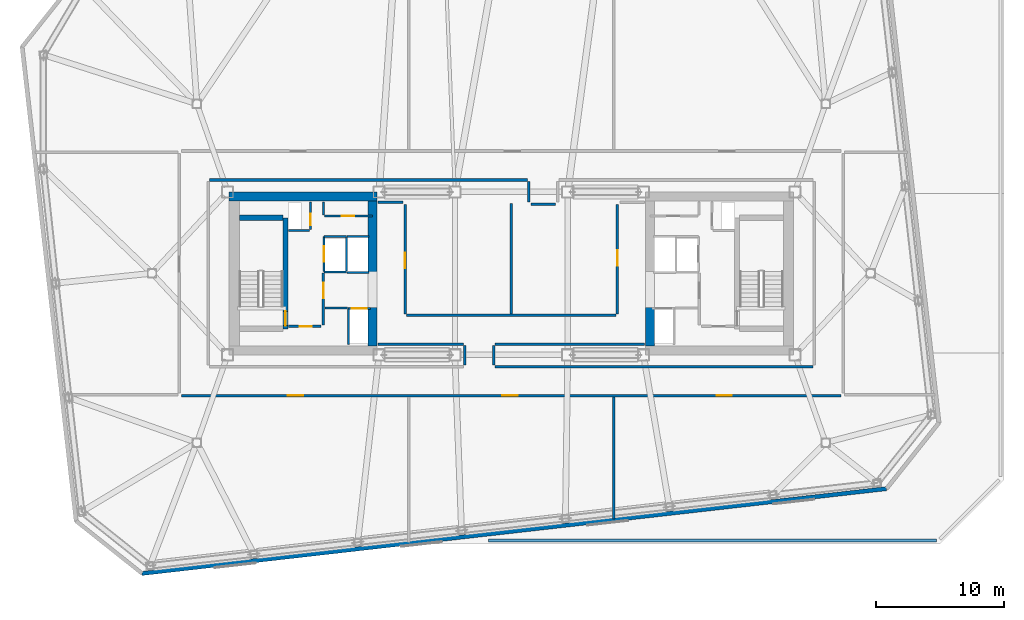
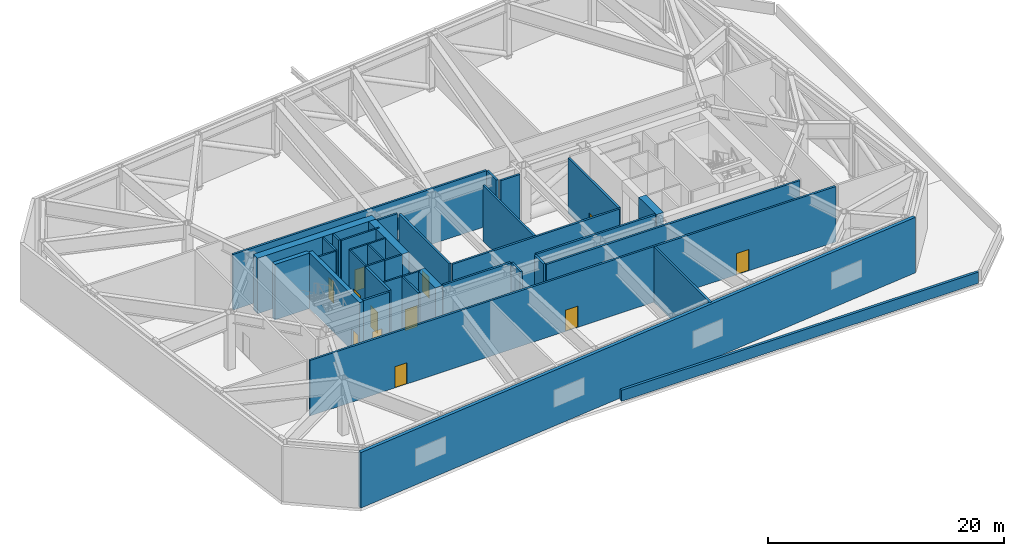
# One storey, part 6 of 13: 38 walls, 12 doors, 12 openings.
"""IFC4 building model written with IfcOpenShell, lengths in metres."""

from ifc_helpers import new_model, si_unit, direction, frame, frame_2d, origin, place, context, subcontext, project, spatial, rectangle, extrude, material, layer, layer_set, type_object, element, fill, save


model = new_model("IFC4")

# Units and contexts
model_context = context("Model", 3, precision=1e-05, world=origin(), true_north=direction((0.0, 1.0)))
body_context = subcontext(model_context, "Body", "Model", "MODEL_VIEW")
ifc_project = project(units=[si_unit("LENGTHUNIT", "METRE"), si_unit("AREAUNIT", "SQUARE_METRE"), si_unit("VOLUMEUNIT", "CUBIC_METRE"), si_unit("PLANEANGLEUNIT", "RADIAN"), si_unit("MASSUNIT", "GRAM", prefix="KILO")], contexts=[model_context])

# Site, building, storey
site_placement = place(None, origin())
site = spatial("IfcSite", under=ifc_project, at=site_placement, CompositionType="ELEMENT")
building_placement = place(site_placement, origin())
building = spatial("IfcBuilding", under=site, at=building_placement, Name="Tavrogorsk Clinical Tower", CompositionType="ELEMENT")
storey_placement = place(building_placement, frame((0.0, 0.0, 208.199951171875)))
storey = spatial("IfcBuildingStorey", under=building, at=storey_placement, Name="L48", CompositionType="ELEMENT", Elevation=208.199951171875)

# Wall, opening, door
ifc_material_1 = material(Name="Concrete B60", Category="concrete")
ifc_layer_1 = layer(ifc_material_1, 0.199951171875)
ifc_layer_set_1 = layer_set([ifc_layer_1], Name="Concrete B60")
wall_type_1 = type_object("IfcWallType", Name="CoreFireWall_200", PredefinedType="SOLIDWALL", material=ifc_layer_set_1)
wall_1_placement = place(storey_placement, frame((-17.3798828125, -4.139892578125, 0.0), z_axis=(0.0, 0.0, 1.0), x_axis=(1.0, 0.0, 0.0)))
wall_1 = element("IfcWall", 1, at=wall_1_placement, inside=storey, type_object=wall_type_1, Name="L48 Core West South Core Room Fire Wall", PredefinedType="SOLIDWALL", context=body_context, shape_type="SweptSolid", body=[
    extrude(rectangle(XDim=2.554931640625, YDim=0.199951171875, at=frame_2d((1.27734375, 0.0))), origin(), (0.0, 0.0, 1.0), 5.739990234375),
])
opening_1_placement = place(wall_1_placement, frame((0.8798828125, 0.0, 0.0)))
opening_1 = element("IfcOpeningElement", 2, at=opening_1_placement, cuts=wall_1, Name="Opening ID-02", PredefinedType="OPENING", context=body_context, shape_type="SweptSolid", body=[
    extrude(rectangle(XDim=0.949951171875, YDim=2.199951171875, at=frame_2d((0.47509765625, 1.10009765625))), frame((0.0, 0.10986328125, 0.0), z_axis=(0.0, -1.0, 0.0), x_axis=(1.0, 0.0, 0.0)), (0.0, 0.0, 1.0), 0.219970703125),
])
ifc_material_2 = material(Name="Laminated timber leaf on aluminium frame", Category="wood")
door_type_1 = type_object("IfcDoorType", Name="InteriorDoor_ID02_950", OperationType="NOTDEFINED", PredefinedType="DOOR", material=ifc_material_2)
door_1_placement = place(opening_1_placement, origin())
door_1 = element("IfcDoor", 3, at=door_1_placement, inside=storey, type_object=door_type_1, Name="L48 Core West South Core Room Door", OperationType="SINGLE_SWING_RIGHT", OverallHeight=2.199951171875, OverallWidth=0.949951171875, PredefinedType="DOOR", context=body_context, shape_type="SweptSolid", body=[
    extrude(rectangle(XDim=0.949951171875, YDim=2.199951171875, at=frame_2d((0.47509765625, 1.10009765625))), frame((0.0, 0.02490234375, 0.0), z_axis=(0.0, -1.0, 0.0), x_axis=(1.0, 0.0, 0.0)), (0.0, 0.0, 1.0), 0.050048828125),
])
fill(opening_1, door_1)

wall_2_placement = place(storey_placement, frame((-14.639892578125, -4.034912109375, 0.0), z_axis=(0.0, 0.0, 1.0), x_axis=(0.0, 1.0, 0.0)))
wall_2 = element("IfcWall", 4, at=wall_2_placement, inside=storey, type_object=wall_type_1, Name="L48 Core West Firefighting Lobby Fire Wall", PredefinedType="SOLIDWALL", context=body_context, shape_type="SweptSolid", body=[
    extrude(rectangle(XDim=4.074951171875, YDim=0.199951171875, at=frame_2d((2.03759765625, 0.0))), origin(), (0.0, 0.0, 1.0), 5.739990234375),
])
opening_2_placement = place(wall_2_placement, frame((2.090087890625, 0.0, 0.0)))
opening_2 = element("IfcOpeningElement", 5, at=opening_2_placement, cuts=wall_2, Name="Opening FD-01", PredefinedType="OPENING", context=body_context, shape_type="SweptSolid", body=[
    extrude(rectangle(XDim=1.199951171875, YDim=2.199951171875, at=frame_2d((0.60009765625, 1.10009765625))), frame((0.0, 0.10986328125, 0.0), z_axis=(0.0, -1.0, 0.0), x_axis=(1.0, 0.0, 0.0)), (0.0, 0.0, 1.0), 0.219970703125),
])
ifc_material_3 = material(Name="Galvanised steel fire-rated door assembly", Category="steel")
door_type_2 = type_object("IfcDoorType", Name="FireDoor_FD01_1200", OperationType="NOTDEFINED", PredefinedType="DOOR", material=ifc_material_3)
door_2_placement = place(opening_2_placement, origin())
door_2 = element("IfcDoor", 6, at=door_2_placement, inside=storey, type_object=door_type_2, Name="L48 Core West Firefighting Lobby Entry Door", OperationType="SINGLE_SWING_RIGHT", OverallHeight=2.199951171875, OverallWidth=1.199951171875, PredefinedType="DOOR", context=body_context, shape_type="SweptSolid", body=[
    extrude(rectangle(XDim=1.199951171875, YDim=2.199951171875, at=frame_2d((0.60009765625, 1.10009765625))), frame((0.0, 0.02490234375, 0.0), z_axis=(0.0, -1.0, 0.0), x_axis=(1.0, 0.0, 0.0)), (0.0, 0.0, 1.0), 0.050048828125),
])
fill(opening_2, door_2)

# Wall, openings, doors
wall_3_placement = place(storey_placement, frame((25.695068359375, -9.530029296875, 0.0), z_axis=(0.0, 0.0, 1.0), x_axis=(-1.0, 0.0, 0.0)))
wall_3 = element("IfcWall", 7, at=wall_3_placement, inside=storey, type_object=wall_type_1, Name="L48 Refuge Corridor Fire Wall 04", PredefinedType="SOLIDWALL", context=body_context, shape_type="SweptSolid", body=[
    extrude(rectangle(XDim=51.39013671875, YDim=0.199951171875, at=frame_2d((25.695068359375, 0.0))), origin(), (0.0, 0.0, 1.0), 5.739990234375),
])
opening_3_placement = place(wall_3_placement, frame((41.906005859375, 0.0, 0.0)))
opening_3 = element("IfcOpeningElement", 8, at=opening_3_placement, cuts=wall_3, Name="Opening FD-01", PredefinedType="OPENING", context=body_context, shape_type="SweptSolid", body=[
    extrude(rectangle(XDim=1.199951171875, YDim=2.199951171875, at=frame_2d((0.60009765625, 1.10009765625))), frame((0.0, 0.10986328125, 0.0), z_axis=(0.0, -1.0, 0.0), x_axis=(1.0, 0.0, 0.0)), (0.0, 0.0, 1.0), 0.219970703125),
])
opening_4_placement = place(wall_3_placement, frame((8.494140625, 0.0, 0.0)))
opening_4 = element("IfcOpeningElement", 9, at=opening_4_placement, cuts=wall_3, Name="Opening FD-01", PredefinedType="OPENING", context=body_context, shape_type="SweptSolid", body=[
    extrude(rectangle(XDim=1.199951171875, YDim=2.199951171875, at=frame_2d((0.60009765625, 1.10009765625))), frame((0.0, 0.10986328125, 0.0), z_axis=(0.0, -1.0, 0.0), x_axis=(1.0, 0.0, 0.0)), (0.0, 0.0, 1.0), 0.219970703125),
])
opening_5_placement = place(wall_3_placement, frame((25.199951171875, 0.0, 0.0)))
opening_5 = element("IfcOpeningElement", 10, at=opening_5_placement, cuts=wall_3, Name="Opening FD-01", PredefinedType="OPENING", context=body_context, shape_type="SweptSolid", body=[
    extrude(rectangle(XDim=1.199951171875, YDim=2.199951171875, at=frame_2d((0.60009765625, 1.10009765625))), frame((0.0, 0.10986328125, 0.0), z_axis=(0.0, -1.0, 0.0), x_axis=(1.0, 0.0, 0.0)), (0.0, 0.0, 1.0), 0.219970703125),
])
door_3_placement = place(opening_3_placement, origin())
door_3 = element("IfcDoor", 11, at=door_3_placement, inside=storey, type_object=door_type_2, Name="L48 Pressurised Patient Refuge Area West Fire Door", OperationType="SINGLE_SWING_LEFT", OverallHeight=2.199951171875, OverallWidth=1.199951171875, PredefinedType="DOOR", context=body_context, shape_type="SweptSolid", body=[
    extrude(rectangle(XDim=1.199951171875, YDim=2.199951171875, at=frame_2d((0.60009765625, 1.10009765625))), frame((0.0, 0.02490234375, 0.0), z_axis=(0.0, -1.0, 0.0), x_axis=(1.0, 0.0, 0.0)), (0.0, 0.0, 1.0), 0.050048828125),
])
fill(opening_3, door_3)
door_4_placement = place(opening_4_placement, origin())
door_4 = element("IfcDoor", 12, at=door_4_placement, inside=storey, type_object=door_type_2, Name="L48 Pressurised Patient Refuge Area East Fire Door", OperationType="SINGLE_SWING_RIGHT", OverallHeight=2.199951171875, OverallWidth=1.199951171875, PredefinedType="DOOR", context=body_context, shape_type="SweptSolid", body=[
    extrude(rectangle(XDim=1.199951171875, YDim=2.199951171875, at=frame_2d((0.60009765625, 1.10009765625))), frame((0.0, 0.02490234375, 0.0), z_axis=(0.0, -1.0, 0.0), x_axis=(1.0, 0.0, 0.0)), (0.0, 0.0, 1.0), 0.050048828125),
])
fill(opening_4, door_4)
door_5_placement = place(opening_5_placement, origin())
door_5 = element("IfcDoor", 13, at=door_5_placement, inside=storey, type_object=door_type_2, Name="L48 Bariatric & Stretcher Holding Refuge Fire Door", OperationType="SINGLE_SWING_LEFT", OverallHeight=2.199951171875, OverallWidth=1.199951171875, PredefinedType="DOOR", context=body_context, shape_type="SweptSolid", body=[
    extrude(rectangle(XDim=1.199951171875, YDim=2.199951171875, at=frame_2d((0.60009765625, 1.10009765625))), frame((0.0, 0.02490234375, 0.0), z_axis=(0.0, -1.0, 0.0), x_axis=(1.0, 0.0, 0.0)), (0.0, 0.0, 1.0), 0.050048828125),
])
fill(opening_5, door_5)

# Walls
wall_4_placement = place(storey_placement, frame((-3.6298828125, -7.1650390625, 0.0), z_axis=(0.0, 0.0, 1.0), x_axis=(0.0, 1.0, 0.0)))
element("IfcWall", 14, at=wall_4_placement, inside=storey, type_object=wall_type_1, Name="L48 Refuge Corridor Fire Wall 05", PredefinedType="SOLIDWALL", context=body_context, shape_type="SweptSolid", body=[
    extrude(rectangle(XDim=1.530029296875, YDim=0.199951171875, at=frame_2d((0.76513671875, 0.0))), origin(), (0.0, 0.0, 1.0), 5.739990234375),
])
wall_5_placement = place(storey_placement, frame((-3.735107421875, -5.530029296875, 0.0), z_axis=(0.0, 0.0, 1.0), x_axis=(-1.0, 0.0, 0.0)))
element("IfcWall", 15, at=wall_5_placement, inside=storey, type_object=wall_type_1, Name="L48 Refuge Corridor Fire Wall 06", PredefinedType="SOLIDWALL", context=body_context, shape_type="SweptSolid", body=[
    extrude(rectangle(XDim=6.644775390625, YDim=0.199951171875, at=frame_2d((3.322265625, 0.0))), origin(), (0.0, 0.0, 1.0), 5.739990234375),
])
wall_6_placement = place(storey_placement, frame((-10.3798828125, 5.530029296875, 0.0), z_axis=(0.0, 0.0, 1.0), x_axis=(1.0, 0.0, 0.0)))
element("IfcWall", 16, at=wall_6_placement, inside=storey, type_object=wall_type_1, Name="L48 Refuge Corridor Fire Wall 07", PredefinedType="SOLIDWALL", context=body_context, shape_type="SweptSolid", body=[
    extrude(rectangle(XDim=1.9248046875, YDim=0.199951171875, at=frame_2d((0.96240234375, 0.0))), origin(), (0.0, 0.0, 1.0), 5.739990234375),
])

# Wall, opening, door
wall_7_placement = place(storey_placement, frame((-8.27001953125, 5.344970703125, 0.0), z_axis=(0.0, 0.0, 1.0), x_axis=(0.0, -1.0, 0.0)))
wall_7 = element("IfcWall", 17, at=wall_7_placement, inside=storey, type_object=wall_type_1, Name="L48 Refuge Corridor Fire Wall 08", PredefinedType="SOLIDWALL", context=body_context, shape_type="SweptSolid", body=[
    extrude(rectangle(XDim=8.510009765625, YDim=0.199951171875, at=frame_2d((4.2548828125, 0.0))), origin(), (0.0, 0.0, 1.0), 5.739990234375),
])
opening_6_placement = place(wall_7_placement, frame((3.760009765625, 0.0, 0.0)))
opening_6 = element("IfcOpeningElement", 18, at=opening_6_placement, cuts=wall_7, Name="Opening FD-01", PredefinedType="OPENING", context=body_context, shape_type="SweptSolid", body=[
    extrude(rectangle(XDim=1.199951171875, YDim=2.199951171875, at=frame_2d((0.60009765625, 1.10009765625))), frame((0.0, 0.10986328125, 0.0), z_axis=(0.0, -1.0, 0.0), x_axis=(1.0, 0.0, 0.0)), (0.0, 0.0, 1.0), 0.219970703125),
])
door_6_placement = place(opening_6_placement, origin())
door_6 = element("IfcDoor", 19, at=door_6_placement, inside=storey, type_object=door_type_2, Name="L48 Zone Substation & Medical IT UPS Fire Door", OperationType="SINGLE_SWING_LEFT", OverallHeight=2.199951171875, OverallWidth=1.199951171875, PredefinedType="DOOR", context=body_context, shape_type="SweptSolid", body=[
    extrude(rectangle(XDim=1.199951171875, YDim=2.199951171875, at=frame_2d((0.60009765625, 1.10009765625))), frame((0.0, 0.02490234375, 0.0), z_axis=(0.0, -1.0, 0.0), x_axis=(1.0, 0.0, 0.0)), (0.0, 0.0, 1.0), 0.050048828125),
])
fill(opening_6, door_6)

# Wall
wall_8_placement = place(storey_placement, frame((-8.1650390625, -3.27001953125, 0.0), z_axis=(0.0, 0.0, 1.0), x_axis=(1.0, 0.0, 0.0)))
element("IfcWall", 20, at=wall_8_placement, inside=storey, type_object=wall_type_1, Name="L48 Refuge Corridor Fire Wall 09", PredefinedType="SOLIDWALL", context=body_context, shape_type="SweptSolid", body=[
    extrude(rectangle(XDim=16.330078125, YDim=0.199951171875, at=frame_2d((8.1650390625, 0.0))), origin(), (0.0, 0.0, 1.0), 5.739990234375),
])

# Wall, opening, door
wall_9_placement = place(storey_placement, frame((8.27001953125, -3.1650390625, 0.0), z_axis=(0.0, 0.0, 1.0), x_axis=(0.0, 1.0, 0.0)))
wall_9 = element("IfcWall", 21, at=wall_9_placement, inside=storey, type_object=wall_type_1, Name="L48 Refuge Corridor Fire Wall 10", PredefinedType="SOLIDWALL", context=body_context, shape_type="SweptSolid", body=[
    extrude(rectangle(XDim=8.510009765625, YDim=0.199951171875, at=frame_2d((4.2548828125, 0.0))), origin(), (0.0, 0.0, 1.0), 5.739990234375),
])
opening_7_placement = place(wall_9_placement, frame((3.760009765625, 0.0, 0.0)))
opening_7 = element("IfcOpeningElement", 22, at=opening_7_placement, cuts=wall_9, Name="Opening FD-01", PredefinedType="OPENING", context=body_context, shape_type="SweptSolid", body=[
    extrude(rectangle(XDim=1.199951171875, YDim=2.199951171875, at=frame_2d((0.60009765625, 1.10009765625))), frame((0.0, 0.10986328125, 0.0), z_axis=(0.0, -1.0, 0.0), x_axis=(1.0, 0.0, 0.0)), (0.0, 0.0, 1.0), 0.219970703125),
])
door_7_placement = place(opening_7_placement, origin())
door_7 = element("IfcDoor", 23, at=door_7_placement, inside=storey, type_object=door_type_2, Name="L48 Zone Domestic Water & Vacuum Booster Fire Door", OperationType="SINGLE_SWING_RIGHT", OverallHeight=2.199951171875, OverallWidth=1.199951171875, PredefinedType="DOOR", context=body_context, shape_type="SweptSolid", body=[
    extrude(rectangle(XDim=1.199951171875, YDim=2.199951171875, at=frame_2d((0.60009765625, 1.10009765625))), frame((0.0, 0.02490234375, 0.0), z_axis=(0.0, -1.0, 0.0), x_axis=(1.0, 0.0, 0.0)), (0.0, 0.0, 1.0), 0.050048828125),
])
fill(opening_7, door_7)

# Walls
wall_10_placement = place(storey_placement, frame((10.3798828125, -5.530029296875, 0.0), z_axis=(0.0, 0.0, 1.0), x_axis=(-1.0, 0.0, 0.0)))
element("IfcWall", 24, at=wall_10_placement, inside=storey, type_object=wall_type_1, Name="L48 Refuge Corridor Fire Wall 12", PredefinedType="SOLIDWALL", context=body_context, shape_type="SweptSolid", body=[
    extrude(rectangle(XDim=11.644775390625, YDim=0.199951171875, at=frame_2d((5.822265625, 0.0))), origin(), (0.0, 0.0, 1.0), 5.739990234375),
])
wall_11_placement = place(storey_placement, frame((-1.3701171875, -5.635009765625, 0.0), z_axis=(0.0, 0.0, 1.0), x_axis=(0.0, -1.0, 0.0)))
element("IfcWall", 25, at=wall_11_placement, inside=storey, type_object=wall_type_1, Name="L48 Refuge Corridor Fire Wall 13", PredefinedType="SOLIDWALL", context=body_context, shape_type="SweptSolid", body=[
    extrude(rectangle(XDim=1.530029296875, YDim=0.199951171875, at=frame_2d((0.76513671875, 0.0))), origin(), (0.0, 0.0, 1.0), 5.739990234375),
])
wall_12_placement = place(storey_placement, frame((-1.264892578125, -7.27001953125, 0.0), z_axis=(0.0, 0.0, 1.0), x_axis=(1.0, 0.0, 0.0)))
element("IfcWall", 26, at=wall_12_placement, inside=storey, type_object=wall_type_1, Name="L48 Refuge Corridor Fire Wall 14", PredefinedType="SOLIDWALL", context=body_context, shape_type="SweptSolid", body=[
    extrude(rectangle(XDim=24.77978515625, YDim=0.199951171875, at=frame_2d((12.389892578125, 0.0))), origin(), (0.0, 0.0, 1.0), 5.739990234375),
])
wall_13_placement = place(storey_placement, frame((3.445068359375, 5.3701171875, 0.0), z_axis=(0.0, 0.0, 1.0), x_axis=(-1.0, 0.0, 0.0)))
element("IfcWall", 27, at=wall_13_placement, inside=storey, type_object=wall_type_1, Name="L48 Refuge Corridor Fire Wall 18", PredefinedType="SOLIDWALL", context=body_context, shape_type="SweptSolid", body=[
    extrude(rectangle(XDim=1.89013671875, YDim=0.199951171875, at=frame_2d((0.945068359375, 0.0))), origin(), (0.0, 0.0, 1.0), 5.739990234375),
])
wall_14_placement = place(storey_placement, frame((1.3701171875, 5.554931640625, 0.0), z_axis=(0.0, 0.0, 1.0), x_axis=(0.0, 1.0, 0.0)))
element("IfcWall", 28, at=wall_14_placement, inside=storey, type_object=wall_type_1, Name="L48 Refuge Corridor Fire Wall 19", PredefinedType="SOLIDWALL", context=body_context, shape_type="SweptSolid", body=[
    extrude(rectangle(XDim=1.610107421875, YDim=0.199951171875, at=frame_2d((0.80517578125, 0.0))), origin(), (0.0, 0.0, 1.0), 5.739990234375),
])
wall_15_placement = place(storey_placement, frame((1.264892578125, 7.27001953125, 0.0), z_axis=(0.0, 0.0, 1.0), x_axis=(-1.0, 0.0, 0.0)))
element("IfcWall", 29, at=wall_15_placement, inside=storey, type_object=wall_type_1, Name="L48 Refuge Corridor Fire Wall 20", PredefinedType="SOLIDWALL", context=body_context, shape_type="SweptSolid", body=[
    extrude(rectangle(XDim=24.77978515625, YDim=0.199951171875, at=frame_2d((12.389892578125, 0.0))), origin(), (0.0, 0.0, 1.0), 5.739990234375),
])
wall_16_placement = place(storey_placement, frame((8.0, -19.14501953125, 0.0), z_axis=(0.0, 0.0, 1.0), x_axis=(0.0, 1.0, 0.0)))
element("IfcWall", 30, at=wall_16_placement, inside=storey, type_object=wall_type_1, Name="L48 Refuge & Plant Fire Wall 6", PredefinedType="SOLIDWALL", context=body_context, shape_type="SweptSolid", body=[
    extrude(rectangle(XDim=9.510009765625, YDim=0.199951171875, at=frame_2d((4.7548828125, 0.0))), origin(), (0.0, 0.0, 1.0), 5.739990234375),
])
wall_17_placement = place(storey_placement, frame((0.0, -3.1650390625, 0.0), z_axis=(0.0, 0.0, 1.0), x_axis=(0.0, 1.0, 0.0)))
element("IfcWall", 31, at=wall_17_placement, inside=storey, type_object=wall_type_1, Name="L48 Refuge & Plant Fire Wall 9", PredefinedType="SOLIDWALL", context=body_context, shape_type="SweptSolid", body=[
    extrude(rectangle(XDim=8.614990234375, YDim=0.199951171875, at=frame_2d((4.3076171875, 0.0))), origin(), (0.0, 0.0, 1.0), 5.739990234375),
])
ifc_material_4 = material(Name="Lightweight concrete blockwork B15", Category="masonry")
ifc_layer_2 = layer(ifc_material_4, 0.159912109375)
ifc_layer_set_2 = layer_set([ifc_layer_2], Name="Lightweight concrete blockwork B15")
wall_type_2 = type_object("IfcWallType", Name="PartitionWall_160", PredefinedType="PARTITIONING", material=ifc_layer_set_2)
wall_18_placement = place(storey_placement, frame((-14.534912109375, -2.699951171875, 0.0), z_axis=(0.0, 0.0, 1.0), x_axis=(1.0, 0.0, 0.0)))
element("IfcWall", 32, at=wall_18_placement, inside=storey, type_object=wall_type_2, Name="L48 Core West Freed Low-Bank North Partition", PredefinedType="PARTITIONING", context=body_context, shape_type="SweptSolid", body=[
    extrude(rectangle(XDim=1.760009765625, YDim=0.159912109375, at=frame_2d((0.8798828125, 0.0))), origin(), (0.0, 0.0, 1.0), 5.739990234375),
])

# Wall, opening, door
wall_19_placement = place(storey_placement, frame((-14.554931640625, 4.4599609375, 0.0), z_axis=(0.0, 0.0, 1.0), x_axis=(1.0, 0.0, 0.0)))
wall_19 = element("IfcWall", 33, at=wall_19_placement, inside=storey, type_object=wall_type_2, Name="L48 Core West Pneumatic Dispatch South Wall", PredefinedType="PARTITIONING", context=body_context, shape_type="SweptSolid", body=[
    extrude(rectangle(XDim=3.7548828125, YDim=0.159912109375, at=frame_2d((1.87744140625, 0.0))), origin(), (0.0, 0.0, 1.0), 5.739990234375),
])
opening_8_placement = place(wall_19_placement, frame((1.35009765625, 0.0, 0.0)))
opening_8 = element("IfcOpeningElement", 34, at=opening_8_placement, cuts=wall_19, Name="Opening ID-02", PredefinedType="OPENING", context=body_context, shape_type="SweptSolid", body=[
    extrude(rectangle(XDim=0.949951171875, YDim=2.199951171875, at=frame_2d((0.47509765625, 1.10009765625))), frame((0.0, 0.08984375, 0.0), z_axis=(0.0, -1.0, 0.0), x_axis=(1.0, 0.0, 0.0)), (0.0, 0.0, 1.0), 0.179931640625),
])
door_8_placement = place(opening_8_placement, origin())
door_8 = element("IfcDoor", 35, at=door_8_placement, inside=storey, type_object=door_type_1, Name="L48 Core West Pneumatic Dispatch Door", OperationType="SINGLE_SWING_LEFT", OverallHeight=2.199951171875, OverallWidth=0.949951171875, PredefinedType="DOOR", context=body_context, shape_type="SweptSolid", body=[
    extrude(rectangle(XDim=0.949951171875, YDim=2.199951171875, at=frame_2d((0.47509765625, 1.10009765625))), frame((0.0, 0.02490234375, 0.0), z_axis=(0.0, -1.0, 0.0), x_axis=(1.0, 0.0, 0.0)), (0.0, 0.0, 1.0), 0.050048828125),
])
fill(opening_8, door_8)

# Walls
wall_20_placement = place(storey_placement, frame((-14.639892578125, 4.544921875, 0.0), z_axis=(0.0, 0.0, 1.0), x_axis=(0.0, 1.0, 0.0)))
element("IfcWall", 36, at=wall_20_placement, inside=storey, type_object=wall_type_2, Name="L48 Core West Pneumatic Dispatch East Wall", PredefinedType="PARTITIONING", context=body_context, shape_type="SweptSolid", body=[
    extrude(rectangle(XDim=1.01513671875, YDim=0.159912109375, at=frame_2d((0.507568359375, 0.0))), origin(), (0.0, 0.0, 1.0), 5.739990234375),
])
ifc_material_5 = material(Name="Precast concrete B45 acoustic plenum wall", Category="concrete")
ifc_layer_3 = layer(ifc_material_5, 0.320068359375)
ifc_layer_set_3 = layer_set([ifc_layer_3], Name="Precast concrete B45 acoustic plenum wall")
wall_type_3 = type_object("IfcWallType", Name="PlantLouvreWall_320", PredefinedType="STANDARD", material=ifc_layer_set_3)
wall_21_placement = place(storey_placement, frame((-28.781494140625, -23.39599609375, 0.0), z_axis=(0.0, 0.0, 1.0), x_axis=(0.993572308046, 0.113199243306, 0.0)))
element("IfcWall", 37, at=wall_21_placement, inside=storey, type_object=wall_type_3, Name="L48 S Limestone Facade Wall 1", PredefinedType="STANDARD", context=body_context, shape_type="SweptSolid", body=[
    extrude(rectangle(XDim=58.400146484375, YDim=0.320068359375, at=frame_2d((29.2001953125, 0.0))), origin(), (0.0, 0.0, 1.0), 5.739990234375),
])
ifc_material_6 = material(Name="Concrete B60", Category="concrete")
ifc_layer_4 = layer(ifc_material_6, 0.25)
ifc_layer_set_4 = layer_set([ifc_layer_4], Name="Concrete B60")
wall_type_4 = type_object("IfcWallType", Name="RoofParapetWall_250", PredefinedType="PARAPET", material=ifc_layer_set_4)
wall_22_placement = place(storey_placement, frame((33.1240234375, -20.820068359375, 0.0), z_axis=(0.0, 0.0, 1.0), x_axis=(-1.0, 0.0, 0.0)))
element("IfcWall", 38, at=wall_22_placement, inside=storey, type_object=wall_type_4, Name="L48 Setback Coping Parapet 7", PredefinedType="PARAPET", context=body_context, shape_type="SweptSolid", body=[
    extrude(rectangle(XDim=34.894775390625, YDim=0.25, at=frame_2d((17.447265625, 0.0))), origin(), (0.0, 0.0, 1.0), 1.150146484375),
])

# Wall, opening, door
ifc_material_7 = material(Name="Lightweight concrete blockwork B25", Category="masonry")
ifc_layer_5 = layer(ifc_material_7, 0.159912109375)
ifc_layer_set_5 = layer_set([ifc_layer_5], Name="Lightweight concrete blockwork B25")
wall_type_5 = type_object("IfcWallType", Name="ShaftWall_160", PredefinedType="PARTITIONING", material=ifc_layer_set_5)
wall_23_placement = place(storey_placement, frame((-14.60009765625, 0.1201171875, 0.0), z_axis=(0.0, 0.0, 1.0), x_axis=(0.0, 1.0, 0.0)))
wall_23 = element("IfcWall", 39, at=wall_23_placement, inside=storey, type_object=wall_type_5, Name="L48 FFL-W Firefighting Lift Front Wall", PredefinedType="PARTITIONING", context=body_context, shape_type="SweptSolid", body=[
    extrude(rectangle(XDim=2.739990234375, YDim=0.159912109375, at=frame_2d((1.3701171875, 0.0))), origin(), (0.0, 0.0, 1.0), 5.739990234375),
])
opening_9_placement = place(wall_23_placement, frame((0.77001953125, 0.0, 0.0)))
opening_9 = element("IfcOpeningElement", 40, at=opening_9_placement, cuts=wall_23, Name="Opening LD", PredefinedType="OPENING", context=body_context, shape_type="SweptSolid", body=[
    extrude(rectangle(XDim=1.199951171875, YDim=2.199951171875, at=frame_2d((0.60009765625, 1.10009765625))), frame((0.0, 0.08984375, 0.0), z_axis=(0.0, -1.0, 0.0), x_axis=(1.0, 0.0, 0.0)), (0.0, 0.0, 1.0), 0.179931640625),
])
ifc_material_8 = material(Name="Brushed stainless steel AISI 304 sliding doors", Category="steel")
door_type_3 = type_object("IfcDoorType", Name="LiftLandingDoor_LD_1200", OperationType="SLIDING_TO_LEFT", PredefinedType="DOOR", material=ifc_material_8)
door_9_placement = place(opening_9_placement, origin())
door_9 = element("IfcDoor", 41, at=door_9_placement, inside=storey, type_object=door_type_3, Name="L48 FFL-W Sliding Lift Landing Door", OperationType="SLIDING_TO_LEFT", OverallHeight=2.199951171875, OverallWidth=1.199951171875, PredefinedType="DOOR", context=body_context, shape_type="SweptSolid", body=[
    extrude(rectangle(XDim=1.199951171875, YDim=2.199951171875, at=frame_2d((0.60009765625, 1.10009765625))), frame((0.0, 0.02490234375, 0.0), z_axis=(0.0, -1.0, 0.0), x_axis=(1.0, 0.0, 0.0)), (0.0, 0.0, 1.0), 0.050048828125),
])
fill(opening_9, door_9)

# Walls
for number, where, z_axis, x_axis, name in (
    (42, (-14.60009765625, 0.10009765625, 0.0), (0.0, 0.0, 1.0), (1.0, 0.0, 0.0), "L48 FFL-W Shaft South Wall"),
    (43, (-14.60009765625, 2.8798828125, 0.0), (0.0, 0.0, 1.0), (1.0, 0.0, 0.0), "L48 FFL-W Shaft North Wall"),
):
    element("IfcWall", number, at=place(storey_placement, frame(where, z_axis=z_axis, x_axis=x_axis)), inside=storey, type_object=wall_type_5, Name=name, PredefinedType="PARTITIONING", context=body_context, shape_type="SweptSolid", body=[
        extrude(rectangle(XDim=1.760009765625, YDim=0.159912109375, at=frame_2d((0.8798828125, 0.0))), origin(), (0.0, 0.0, 1.0), 5.739990234375),
    ])
wall_24_placement = place(storey_placement, frame((-12.840087890625, 0.179931640625, 0.0), z_axis=(0.0, 0.0, 1.0), x_axis=(0.0, 1.0, 0.0)))
element("IfcWall", 44, at=wall_24_placement, inside=storey, type_object=wall_type_5, Name="L48 FFL-W Shaft Back Wall", PredefinedType="PARTITIONING", context=body_context, shape_type="SweptSolid", body=[
    extrude(rectangle(XDim=2.6201171875, YDim=0.159912109375, at=frame_2d((1.31005859375, 0.0))), origin(), (0.0, 0.0, 1.0), 5.739990234375),
])

# Wall, opening, door
wall_25_placement = place(storey_placement, frame((-12.72998046875, -2.75, 0.0), z_axis=(0.0, 0.0, 1.0), x_axis=(1.0, 0.0, 0.0)))
wall_25 = element("IfcWall", 45, at=wall_25_placement, inside=storey, type_object=wall_type_5, Name="L48 LP-M1 Lift Shaft Portal Wall", PredefinedType="PARTITIONING", context=body_context, shape_type="SweptSolid", body=[
    extrude(rectangle(XDim=1.760009765625, YDim=0.159912109375, at=frame_2d((0.8798828125, 0.0))), origin(), (0.0, 0.0, 1.0), 5.739990234375),
])
opening_10_placement = place(wall_25_placement, frame((0.280029296875, 0.0, 0.0)))
opening_10 = element("IfcOpeningElement", 46, at=opening_10_placement, cuts=wall_25, Name="Opening LD", PredefinedType="OPENING", context=body_context, shape_type="SweptSolid", body=[
    extrude(rectangle(XDim=1.199951171875, YDim=2.199951171875, at=frame_2d((0.60009765625, 1.10009765625))), frame((0.0, 0.08984375, 0.0), z_axis=(0.0, -1.0, 0.0), x_axis=(1.0, 0.0, 0.0)), (0.0, 0.0, 1.0), 0.179931640625),
])
door_10_placement = place(opening_10_placement, origin())
door_10 = element("IfcDoor", 47, at=door_10_placement, inside=storey, type_object=door_type_3, Name="L48 LP-M1 Sliding Lift Landing Door", OperationType="SLIDING_TO_LEFT", OverallHeight=2.199951171875, OverallWidth=1.199951171875, PredefinedType="DOOR", context=body_context, shape_type="SweptSolid", body=[
    extrude(rectangle(XDim=1.199951171875, YDim=2.199951171875, at=frame_2d((0.60009765625, 1.10009765625))), frame((0.0, 0.02490234375, 0.0), z_axis=(0.0, -1.0, 0.0), x_axis=(1.0, 0.0, 0.0)), (0.0, 0.0, 1.0), 0.050048828125),
])
fill(opening_10, door_10)

# Walls
for number, where, z_axis, x_axis, name in (
    (48, (-12.820068359375, 0.06005859375, 0.0), (0.0, 0.0, 1.0), (1.0, 0.0, 0.0), "L48 LP-H1 High-Zone Lift Portal Wall"),
    (49, (-12.820068359375, 2.860107421875, 0.0), (0.0, 0.0, 1.0), (1.0, 0.0, 0.0), "L48 LP-H1 High-Zone Lift Rear Wall"),
):
    element("IfcWall", number, at=place(storey_placement, frame(where, z_axis=z_axis, x_axis=x_axis)), inside=storey, type_object=wall_type_5, Name=name, PredefinedType="PARTITIONING", context=body_context, shape_type="SweptSolid", body=[
        extrude(rectangle(XDim=1.719970703125, YDim=0.159912109375, at=frame_2d((0.85986328125, 0.0))), origin(), (0.0, 0.0, 1.0), 5.739990234375),
    ])

# Wall, opening, door
wall_26_placement = place(storey_placement, frame((-15.639892578125, 3.405029296875, 0.0), z_axis=(0.0, 0.0, 1.0), x_axis=(0.0, 1.0, 0.0)))
wall_26 = element("IfcWall", 50, at=wall_26_placement, inside=storey, type_object=wall_type_5, Name="L48 Core West Riser West Wall", PredefinedType="PARTITIONING", context=body_context, shape_type="SweptSolid", body=[
    extrude(rectangle(XDim=2.155029296875, YDim=0.159912109375, at=frame_2d((1.07763671875, 0.0))), origin(), (0.0, 0.0, 1.0), 5.739990234375),
])
opening_11_placement = place(wall_26_placement, frame((0.35009765625, 0.0, 0.0)))
opening_11 = element("IfcOpeningElement", 51, at=opening_11_placement, cuts=wall_26, Name="Opening FD-02", PredefinedType="OPENING", context=body_context, shape_type="SweptSolid", body=[
    extrude(rectangle(XDim=0.89990234375, YDim=2.199951171875, at=frame_2d((0.449951171875, 1.10009765625))), frame((0.0, 0.08984375, 0.0), z_axis=(0.0, -1.0, 0.0), x_axis=(1.0, 0.0, 0.0)), (0.0, 0.0, 1.0), 0.179931640625),
])
ifc_material_9 = material(Name="Galvanised steel fire-rated door assembly", Category="steel")
door_type_4 = type_object("IfcDoorType", Name="FireDoor_FD02_900", OperationType="NOTDEFINED", PredefinedType="DOOR", material=ifc_material_9)
door_11_placement = place(opening_11_placement, origin())
door_11 = element("IfcDoor", 52, at=door_11_placement, inside=storey, type_object=door_type_4, Name="L48 Core West Electrical Riser Access Door", OperationType="SINGLE_SWING_LEFT", OverallHeight=2.199951171875, OverallWidth=0.89990234375, PredefinedType="DOOR", context=body_context, shape_type="SweptSolid", body=[
    extrude(rectangle(XDim=0.89990234375, YDim=2.199951171875, at=frame_2d((0.449951171875, 1.10009765625))), frame((0.0, 0.02490234375, 0.0), z_axis=(0.0, -1.0, 0.0), x_axis=(1.0, 0.0, 0.0)), (0.0, 0.0, 1.0), 0.050048828125),
])
fill(opening_11, door_11)

# Walls
wall_27_placement = place(storey_placement, frame((-17.3798828125, 3.320068359375, 0.0), z_axis=(0.0, 0.0, 1.0), x_axis=(1.0, 0.0, 0.0)))
element("IfcWall", 53, at=wall_27_placement, inside=storey, type_object=wall_type_5, Name="L48 Core West Riser South Wall", PredefinedType="PARTITIONING", context=body_context, shape_type="SweptSolid", body=[
    extrude(rectangle(XDim=1.65478515625, YDim=0.159912109375, at=frame_2d((0.827392578125, 0.0))), origin(), (0.0, 0.0, 1.0), 5.739990234375),
])
wall_28_placement = place(storey_placement, frame((-12.68994140625, -5.56005859375, 0.0), z_axis=(0.0, 0.0, 1.0), x_axis=(0.0, 1.0, 0.0)))
element("IfcWall", 54, at=wall_28_placement, inside=storey, type_object=wall_type_5, Name="L48 Core West Freed Low-Bank Shaft Divider", PredefinedType="PARTITIONING", context=body_context, shape_type="SweptSolid", body=[
    extrude(rectangle(XDim=2.775146484375, YDim=0.159912109375, at=frame_2d((1.3876953125, 0.0))), origin(), (0.0, 0.0, 1.0), 5.739990234375),
])

# Wall, opening, door
ifc_material_10 = material(Name="Concrete B80", Category="concrete")
ifc_layer_6 = layer(ifc_material_10, 0.39990234375)
ifc_layer_set_6 = layer_set([ifc_layer_6], Name="Concrete B80")
wall_type_6 = type_object("IfcWallType", Name="ShearWall_400", PredefinedType="SHEAR", material=ifc_layer_set_6)
wall_29_placement = place(storey_placement, frame((-17.60009765625, -4.324951171875, 0.0), z_axis=(0.0, 0.0, 1.0), x_axis=(0.0, 1.0, 0.0)))
wall_29 = element("IfcWall", 55, at=wall_29_placement, inside=storey, type_object=wall_type_6, Name="L48 Core West Stair Shaft Inner Shear Wall", PredefinedType="SHEAR", context=body_context, shape_type="SweptSolid", body=[
    extrude(rectangle(XDim=8.64990234375, YDim=0.39990234375, at=frame_2d((4.324951171875, 0.0))), origin(), (0.0, 0.0, 1.0), 5.739990234375),
])
opening_12_placement = place(wall_29_placement, frame((0.25, 0.0, 0.0)))
opening_12 = element("IfcOpeningElement", 56, at=opening_12_placement, cuts=wall_29, Name="Opening SD-01", PredefinedType="OPENING", context=body_context, shape_type="SweptSolid", body=[
    extrude(rectangle(XDim=1.10009765625, YDim=2.199951171875, at=frame_2d((0.550048828125, 1.10009765625))), frame((0.0, 0.2099609375, 0.0), z_axis=(0.0, -1.0, 0.0), x_axis=(1.0, 0.0, 0.0)), (0.0, 0.0, 1.0), 0.419921875),
])
ifc_material_11 = material(Name="Galvanised steel smoke-tight fire door assembly", Category="steel")
door_type_5 = type_object("IfcDoorType", Name="StairFireDoor_SD01_1100", OperationType="NOTDEFINED", PredefinedType="DOOR", material=ifc_material_11)
door_12_placement = place(opening_12_placement, origin())
door_12 = element("IfcDoor", 57, at=door_12_placement, inside=storey, type_object=door_type_5, Name="L48 ST-W Exit Stair Door", OperationType="SINGLE_SWING_LEFT", OverallHeight=2.199951171875, OverallWidth=1.10009765625, PredefinedType="DOOR", context=body_context, shape_type="SweptSolid", body=[
    extrude(rectangle(XDim=1.10009765625, YDim=2.199951171875, at=frame_2d((0.550048828125, 1.10009765625))), frame((0.0, 0.02490234375, 0.0), z_axis=(0.0, -1.0, 0.0), x_axis=(1.0, 0.0, 0.0)), (0.0, 0.0, 1.0), 0.050048828125),
])
fill(opening_12, door_12)

# Walls
wall_30_placement = place(storey_placement, frame((-21.199951171875, 4.324951171875, 0.0), z_axis=(0.0, 0.0, 1.0), x_axis=(1.0, 0.0, 0.0)))
element("IfcWall", 58, at=wall_30_placement, inside=storey, type_object=wall_type_6, Name="L48 Core West Stair Shaft North Shear Wall", PredefinedType="SHEAR", context=body_context, shape_type="SweptSolid", body=[
    extrude(rectangle(XDim=3.39990234375, YDim=0.39990234375, at=frame_2d((1.699951171875, 0.0))), origin(), (0.0, 0.0, 1.0), 5.739990234375),
])
ifc_material_12 = material(Name="Concrete B80", Category="concrete")
ifc_layer_7 = layer(ifc_material_12, 0.699951171875)
ifc_layer_set_7 = layer_set([ifc_layer_7], Name="Concrete B80")
wall_type_7 = type_object("IfcWallType", Name="ShearWall_700", PredefinedType="SHEAR", material=ifc_layer_set_7)
wall_31_placement = place(storey_placement, frame((-22.0, 6.0, 0.0), z_axis=(0.0, 0.0, 1.0), x_axis=(1.0, 0.0, 0.0)))
element("IfcWall", 59, at=wall_31_placement, inside=storey, type_object=wall_type_7, Name="L48 Core West North Shear Wall", PredefinedType="SHEAR", context=body_context, shape_type="SweptSolid", body=[
    extrude(rectangle(XDim=11.550048828125, YDim=0.699951171875, at=frame_2d((5.77490234375, 0.0))), origin(), (0.0, 0.0, 1.0), 5.739990234375),
])
wall_32_placement = place(storey_placement, frame((-10.800048828125, -5.64990234375, 0.0), z_axis=(0.0, 0.0, 1.0), x_axis=(0.0, 1.0, 0.0)))
element("IfcWall", 60, at=wall_32_placement, inside=storey, type_object=wall_type_7, Name="L48 Core West Inner South Pier", PredefinedType="SHEAR", context=body_context, shape_type="SweptSolid", body=[
    extrude(rectangle(XDim=3.0, YDim=0.699951171875, at=frame_2d((1.5, 0.0))), origin(), (0.0, 0.0, 1.0), 5.739990234375),
])
wall_33_placement = place(storey_placement, frame((-10.800048828125, 0.050048828125, 0.0), z_axis=(0.0, 0.0, 1.0), x_axis=(0.0, 1.0, 0.0)))
element("IfcWall", 61, at=wall_33_placement, inside=storey, type_object=wall_type_7, Name="L48 Core West Inner North Pier", PredefinedType="SHEAR", context=body_context, shape_type="SweptSolid", body=[
    extrude(rectangle(XDim=5.599853515625, YDim=0.699951171875, at=frame_2d((2.7998046875, 0.0))), origin(), (0.0, 0.0, 1.0), 5.739990234375),
])
wall_34_placement = place(storey_placement, frame((10.800048828125, -5.64990234375, 0.0), z_axis=(0.0, 0.0, 1.0), x_axis=(0.0, 1.0, 0.0)))
element("IfcWall", 62, at=wall_34_placement, inside=storey, type_object=wall_type_7, Name="L48 Core East Inner South Pier", PredefinedType="SHEAR", context=body_context, shape_type="SweptSolid", body=[
    extrude(rectangle(XDim=3.0, YDim=0.699951171875, at=frame_2d((1.5, 0.0))), origin(), (0.0, 0.0, 1.0), 5.739990234375),
])

save(model, "model.ifc")
